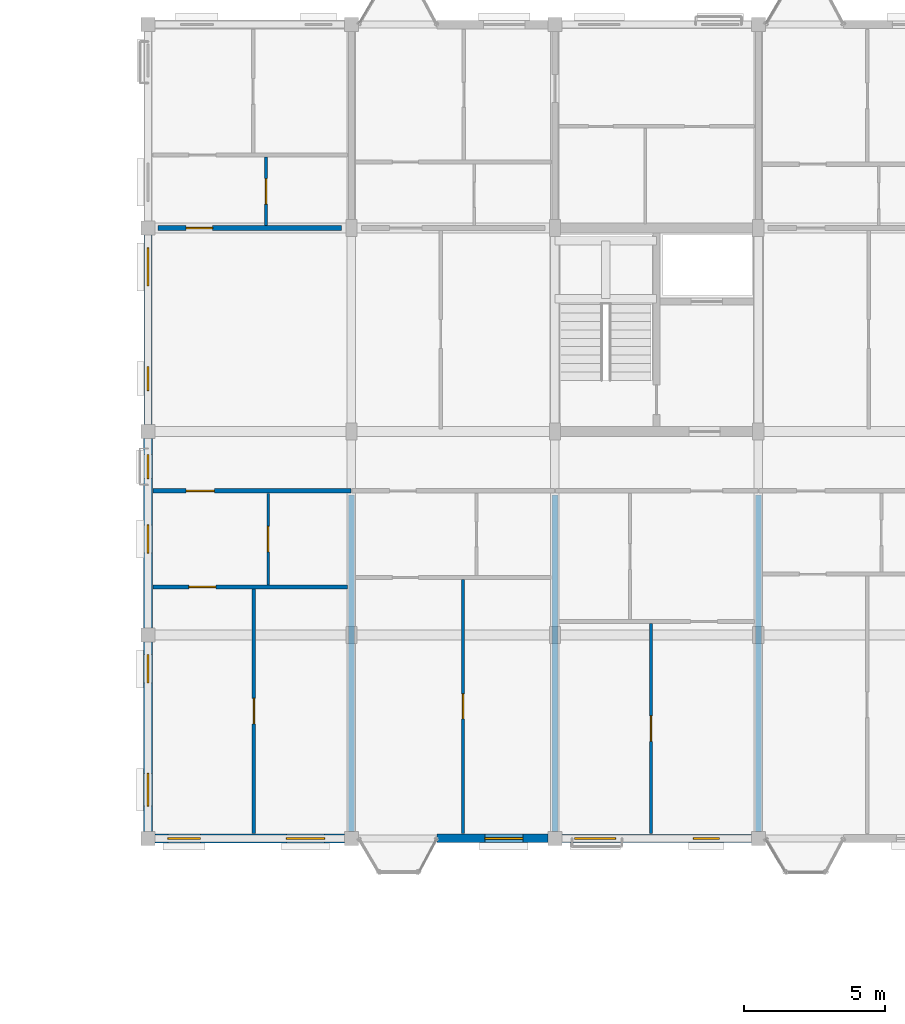
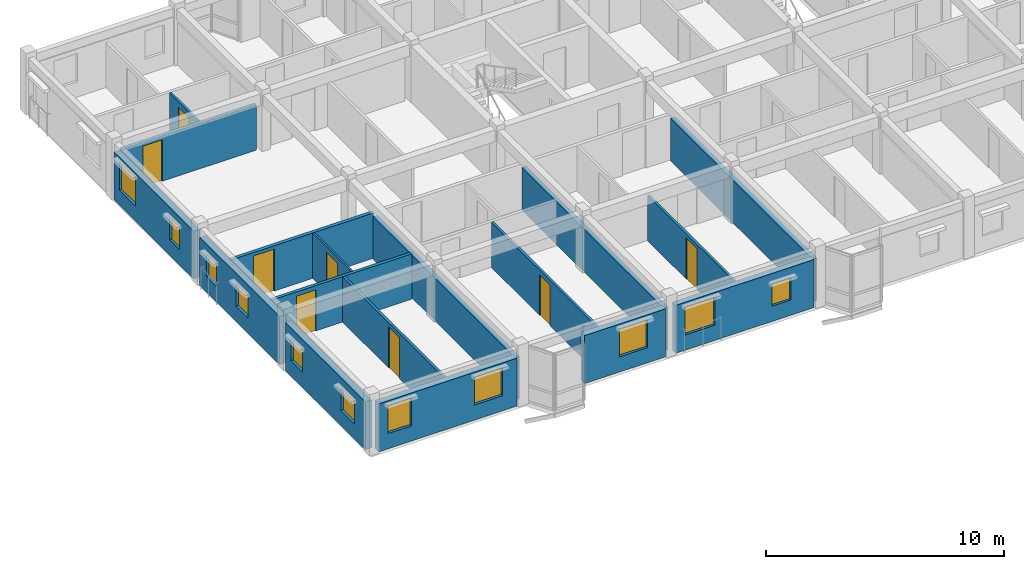
# One storey, part 52 of 64: 17 walls, 11 windows, 8 doors, 19 openings.
"""IFC4 building model written with IfcOpenShell, lengths in metres."""

import ifcopenshell
import ifcopenshell.guid

model = None  # the IFC model being written
_history = None  # IfcOwnerHistory: only IFC2X3 demands one
_inside = {}  # id of a spatial element -> (the spatial element, [elements in it])
_under = {}  # id of a project, library or spatial element -> (it, [spatial elements below it])
_declared = {}  # id of a project -> (the project, [libraries it declares])
_typed = {}  # id of a type object -> (the type object, [elements of that type])
_made_of = {}  # id of a material, layer set ... -> (it, [elements and type objects made of it])


def new_model(schema):
    """Start an empty IFC model of exactly this schema.

    Asked for "IFC4X3", IfcOpenShell would pick the latest addendum, in which some entities
    have other attributes; the version numbers below select the first issue.
    IFC2X3 requires an IfcOwnerHistory on every rooted entity: one is made here for all.
    """
    global model, _history
    if schema == "IFC4X3":
        model = ifcopenshell.file(schema_version=(4, 3, 0, 0))
    else:
        model = ifcopenshell.file(schema=schema)
    _inside.clear()
    _under.clear()
    _declared.clear()
    _typed.clear()
    _made_of.clear()
    _history = None
    if model.schema == "IFC2X3":
        org = make("IfcOrganization", Name="unknown")
        user = make(
            "IfcPersonAndOrganization",
            ThePerson=make("IfcPerson", FamilyName="unknown"),
            TheOrganization=org,
        )
        app = make(
            "IfcApplication",
            ApplicationDeveloper=org,
            Version="unknown",
            ApplicationFullName="unknown",
            ApplicationIdentifier="unknown",
        )
        _history = make(
            "IfcOwnerHistory",
            OwningUser=user,
            OwningApplication=app,
            ChangeAction="ADDED",
            CreationDate=0,
        )
    return model


def make(cls, **values):
    """One entity of the class cls with the attributes given. An attribute that is None is left unset."""
    return model.create_entity(
        cls, **{name: value for name, value in values.items() if value is not None}
    )


def rooted(cls, **values):
    """An entity with a GlobalId (a new one), such as an element, a storey or a relation."""
    return make(cls, GlobalId=ifcopenshell.guid.new(), OwnerHistory=_history, **values)


def si_unit(unit_type, name, prefix=None):
    """IfcSIUnit, for example si_unit("LENGTHUNIT", "METRE", prefix="MILLI")."""
    return make("IfcSIUnit", UnitType=unit_type, Prefix=prefix, Name=name)


def assignment(units):
    """IfcUnitAssignment: the units of a project."""
    return None if units is None else make("IfcUnitAssignment", Units=units)


def point(xyz):
    """IfcCartesianPoint."""
    return None if xyz is None else make("IfcCartesianPoint", Coordinates=xyz)


def direction(xyz):
    """IfcDirection."""
    return None if xyz is None else make("IfcDirection", DirectionRatios=xyz)


def frame(location, z_axis=None, x_axis=None):
    """IfcAxis2Placement3D, a coordinate frame: its origin and axes. An axis left out is left unset."""
    return make(
        "IfcAxis2Placement3D",
        Location=point(location),
        Axis=direction(z_axis),
        RefDirection=direction(x_axis),
    )


def frame_2d(location, x_axis=None):
    """IfcAxis2Placement2D, a coordinate frame in the plane: its origin and x axis."""
    return make(
        "IfcAxis2Placement2D", Location=point(location), RefDirection=direction(x_axis)
    )


def origin():
    """The frame at (0, 0, 0) with its axes left unset."""
    return frame((0.0, 0.0, 0.0))


def place(relative_to, where):
    """IfcLocalPlacement: puts the frame where relative to a parent placement (None: the world)."""
    return make(
        "IfcLocalPlacement", PlacementRelTo=relative_to, RelativePlacement=where
    )


def context(
    kind, dimensions, precision=None, world=None, true_north=None, identifier=None
):
    """IfcGeometricRepresentationContext, for example the 3D "Model" context."""
    return make(
        "IfcGeometricRepresentationContext",
        ContextIdentifier=identifier,
        ContextType=kind,
        CoordinateSpaceDimension=dimensions,
        Precision=precision,
        WorldCoordinateSystem=world,
        TrueNorth=true_north,
    )


def subcontext(parent, identifier, kind, view, scale=None):
    """IfcGeometricRepresentationSubContext, for example "Body" below "Model"."""
    return make(
        "IfcGeometricRepresentationSubContext",
        ContextIdentifier=identifier,
        ContextType=kind,
        ParentContext=parent,
        TargetScale=scale,
        TargetView=view,
    )


def project(units=None, contexts=None):
    """IfcProject with its units and contexts."""
    return rooted(
        "IfcProject",
        Name="project",
        RepresentationContexts=contexts,
        UnitsInContext=assignment(units),
    )


def spatial(cls, under=None, at=None, **own):
    """A site, building, storey or space (cls), placed at a placement, below another one or the project."""
    s = rooted(cls, ObjectPlacement=at, **own)
    if under is not None:
        _under.setdefault(under.id(), (under, []))[1].append(s)
    return s


def profile(cls, at=None, kind="AREA", **sizes):
    """A parametric profile (cls). Its sizes go by their IFC names, for example OverallWidth=200.0."""
    return make(cls, ProfileType=kind, Position=at, **sizes)


def rectangle(**sizes):
    """IfcRectangleProfileDef."""
    return profile("IfcRectangleProfileDef", **sizes)


def extrude(swept, where, along, depth):
    """IfcExtrudedAreaSolid: the profile swept, set in the frame where, extruded along a direction by depth."""
    return make(
        "IfcExtrudedAreaSolid",
        SweptArea=swept,
        Position=where,
        ExtrudedDirection=direction(along),
        Depth=depth,
    )


def shape(context_of_items, identifier, shape_type, items):
    """IfcShapeRepresentation: the items that make up one representation, for example the "Body"."""
    return make(
        "IfcShapeRepresentation",
        ContextOfItems=context_of_items,
        RepresentationIdentifier=identifier,
        RepresentationType=shape_type,
        Items=items,
    )


def material(Name=None, Category=None):
    """IfcMaterial."""
    return make("IfcMaterial", Name=Name, Category=Category)


def layer(
    of_material, thickness, ventilated=None, Name=None, Category=None, Priority=None
):
    """IfcMaterialLayer: one layer of a wall or slab, of a material (None: an air gap)."""
    return make(
        "IfcMaterialLayer",
        Material=of_material,
        LayerThickness=thickness,
        IsVentilated=ventilated,
        Name=Name,
        Category=Category,
        Priority=Priority,
    )


def layer_set(layers, Name=None):
    """IfcMaterialLayerSet."""
    return make("IfcMaterialLayerSet", MaterialLayers=layers, LayerSetName=Name)


def made_of(thing, what):
    """Note that an element or type object is made of a material, layer set ...; save() writes the relation."""
    if what is not None:
        _made_of.setdefault(what.id(), (what, []))[1].append(thing)
    return thing


def type_object(cls, material=None, **own):
    """A type object (cls), such as IfcWallType, which elements share."""
    return made_of(rooted(cls, **own), material)


def element(
    cls,
    number,
    at=None,
    inside=None,
    cuts=None,
    type_object=None,
    material=None,
    context=None,
    identifier="Body",
    shape_type=None,
    held_by="IfcProductDefinitionShape",
    body=None,
    shapes=None,
    **own,
):
    """One element of the class cls, such as IfcWall. Its Tag is "e" and its number.

    at: its placement. inside: the storey or other place that contains it. cuts: it is an
    opening in that element (IfcRelVoidsElement). A single representation is given by context,
    identifier, shape_type and body (its items); several are given by shapes. held_by: the class
    of the entity that holds the representations. save() writes the other relations.
    """
    e = rooted(cls, Tag="e%d" % number, ObjectPlacement=at, **own)
    if body is not None:
        shapes = [shape(context, identifier, shape_type, body)]
    if shapes is not None:
        e.Representation = make(held_by, Representations=shapes)
    if inside is not None:
        _inside.setdefault(inside.id(), (inside, []))[1].append(e)
    if cuts is not None:
        rooted(
            "IfcRelVoidsElement", RelatingBuildingElement=cuts, RelatedOpeningElement=e
        )
    if type_object is not None:
        _typed.setdefault(type_object.id(), (type_object, []))[1].append(e)
    return made_of(e, material)


def fill(opening, filler):
    """IfcRelFillsElement: the door or window that sits in an opening."""
    return rooted(
        "IfcRelFillsElement",
        RelatingOpeningElement=opening,
        RelatedBuildingElement=filler,
    )


def aggregate(whole, parts):
    """IfcRelAggregates: a whole, such as a stair, and the parts it consists of."""
    return rooted("IfcRelAggregates", RelatingObject=whole, RelatedObjects=parts)


def save(model, path):
    """Write the relations noted so far, then the file.

    IfcRelAggregates (storeys below a building ...), IfcRelContainedInSpatialStructure (elements
    in a storey), IfcRelDefinesByType, IfcRelAssociatesMaterial and IfcRelDeclares: one each for
    every whole, place, type object, material and project.
    """
    for whole, parts in _under.values():
        aggregate(whole, parts)
    for where, things in _inside.values():
        rooted(
            "IfcRelContainedInSpatialStructure",
            RelatedElements=things,
            RelatingStructure=where,
        )
    for kind, things in _typed.values():
        rooted("IfcRelDefinesByType", RelatedObjects=things, RelatingType=kind)
    for what, things in _made_of.values():
        rooted("IfcRelAssociatesMaterial", RelatedObjects=things, RelatingMaterial=what)
    for by, libraries in _declared.values():
        rooted("IfcRelDeclares", RelatingContext=by, RelatedDefinitions=libraries)
    model.write(path)


model = new_model("IFC4")

# Units and contexts
model_context = context("Model", 3, precision=1e-05, world=origin(), true_north=direction((0.0, 1.0)))
body_context = subcontext(model_context, "Body", "Model", "MODEL_VIEW")
ifc_project = project(units=[si_unit("LENGTHUNIT", "METRE"), si_unit("AREAUNIT", "SQUARE_METRE"), si_unit("VOLUMEUNIT", "CUBIC_METRE"), si_unit("PLANEANGLEUNIT", "RADIAN"), si_unit("MASSUNIT", "GRAM", prefix="KILO"), si_unit("THERMODYNAMICTEMPERATUREUNIT", "KELVIN"), si_unit("POWERUNIT", "WATT")], contexts=[model_context])

# Site, building, storey
site_placement = place(None, origin())
site = spatial("IfcSite", under=ifc_project, at=site_placement, CompositionType="ELEMENT")
building_placement = place(site_placement, origin())
building = spatial("IfcBuilding", under=site, at=building_placement, Name="Tavuni Mirador Residences", CompositionType="ELEMENT")
storey_placement = place(building_placement, frame((0.0, 0.0, 26.550048828125)))
storey = spatial("IfcBuildingStorey", under=building, at=storey_placement, Name="L08", CompositionType="ELEMENT", Elevation=26.550048828125)

# Wall, opening, door
ifc_material_1 = material(Name="Precast concrete C40/50", Category="concrete")
ifc_layer_1 = layer(ifc_material_1, 0.1650390625, Name="Precast concrete C40/50", Category="concrete")
ifc_layer_set_1 = layer_set([ifc_layer_1], Name="Precast concrete C40/50")
wall_type_1 = type_object("IfcWallType", Name="WT-CORR165", PredefinedType="PARTITIONING", material=ifc_layer_set_1)
wall_1_placement = place(storey_placement, frame((10.97509765625, 156.300048828125, 0.0), z_axis=(0.0, 0.0, 1.0), x_axis=(1.0, 0.0, 0.0)))
wall_1 = element("IfcWall", 1, at=wall_1_placement, inside=storey, type_object=wall_type_1, Name="CORW-BLK-C-L08-0-00", PredefinedType="PARTITIONING", context=body_context, shape_type="SweptSolid", body=[
    extrude(rectangle(XDim=7.0048828125, YDim=0.1650390625, at=frame_2d((3.50244140625, 0.0))), origin(), (0.0, 0.0, 1.0), 2.320068359375),
])
opening_1_placement = place(wall_1_placement, frame((1.175048828125, 0.0, 0.0)))
opening_1 = element("IfcOpeningElement", 2, at=opening_1_placement, cuts=wall_1, Name="Opening D-03", PredefinedType="OPENING", context=body_context, shape_type="SweptSolid", body=[
    extrude(rectangle(XDim=1.0, YDim=2.14990234375, at=frame_2d((0.5, 1.074951171875))), frame((0.0, 0.092529296875, 0.0), z_axis=(0.0, -1.0, 0.0), x_axis=(1.0, 0.0, 0.0)), (0.0, 0.0, 1.0), 0.18505859375),
])
ifc_material_2 = material(Name="Solid core iroko timber", Category="wood")
door_type_1 = type_object("IfcDoorType", Name="DT-FD60-1000", OperationType="NOTDEFINED", PredefinedType="DOOR", material=ifc_material_2)
door_1_placement = place(opening_1_placement, origin())
door_1 = element("IfcDoor", 3, at=door_1_placement, inside=storey, type_object=door_type_1, Name="DR-2739", OperationType="SINGLE_SWING_RIGHT", OverallHeight=2.14990234375, OverallWidth=1.0, PredefinedType="DOOR", context=body_context, shape_type="SweptSolid", body=[
    extrude(rectangle(XDim=1.0, YDim=2.14990234375, at=frame_2d((0.5, 1.074951171875))), frame((0.0, 0.02490234375, 0.0), z_axis=(0.0, -1.0, 0.0), x_axis=(1.0, 0.0, 0.0)), (0.0, 0.0, 1.0), 0.050048828125),
])
fill(opening_1, door_1)

wall_2_placement = place(storey_placement, frame((11.14990234375, 165.60009765625, 0.0), z_axis=(0.0, 0.0, 1.0), x_axis=(1.0, 0.0, 0.0)))
wall_2 = element("IfcWall", 4, at=wall_2_placement, inside=storey, type_object=wall_type_1, Name="CORW-BLK-C-L08-1-00", PredefinedType="PARTITIONING", context=body_context, shape_type="SweptSolid", body=[
    extrude(rectangle(XDim=6.5, YDim=0.1650390625, at=frame_2d((3.25, 0.0))), origin(), (0.0, 0.0, 1.0), 2.320068359375),
])
opening_2_placement = place(wall_2_placement, frame((1.0, 0.0, 0.0)))
opening_2 = element("IfcOpeningElement", 5, at=opening_2_placement, cuts=wall_2, Name="Opening D-19", PredefinedType="OPENING", context=body_context, shape_type="SweptSolid", body=[
    extrude(rectangle(XDim=0.93994140625, YDim=2.1201171875, at=frame_2d((0.469970703125, 1.06005859375))), frame((0.0, 0.092529296875, 0.0), z_axis=(0.0, -1.0, 0.0), x_axis=(1.0, 0.0, 0.0)), (0.0, 0.0, 1.0), 0.18505859375),
])
door_type_2 = type_object("IfcDoorType", Name="DT-FD60-940", OperationType="NOTDEFINED", PredefinedType="DOOR", material=ifc_material_2)
door_2_placement = place(opening_2_placement, origin())
door_2 = element("IfcDoor", 6, at=door_2_placement, inside=storey, type_object=door_type_2, Name="DR-2746", OperationType="SINGLE_SWING_LEFT", OverallHeight=2.1201171875, OverallWidth=0.93994140625, PredefinedType="DOOR", context=body_context, shape_type="SweptSolid", body=[
    extrude(rectangle(XDim=0.93994140625, YDim=2.1201171875, at=frame_2d((0.469970703125, 1.06005859375))), frame((0.0, 0.02490234375, 0.0), z_axis=(0.0, -1.0, 0.0), x_axis=(1.0, 0.0, 0.0)), (0.0, 0.0, 1.0), 0.050048828125),
])
fill(opening_2, door_2)

# Wall, openings, windows
ifc_material_3 = material(Name="Sgraffito lime-rendered precast concrete C40/50", Category="concrete")
ifc_layer_2 = layer(ifc_material_3, 0.2900390625, Name="Sgraffito lime-rendered precast concrete C40/50", Category="concrete")
ifc_layer_set_2 = layer_set([ifc_layer_2], Name="Sgraffito lime-rendered precast concrete C40/50")
wall_type_2 = type_object("IfcWallType", Name="WT-EXT-PC290", PredefinedType="SOLIDWALL", material=ifc_layer_set_2)
wall_3_placement = place(storey_placement, frame((25.449951171875, 144.0, 0.0), z_axis=(0.0, 0.0, 1.0), x_axis=(1.0, 0.0, 0.0)))
wall_3 = element("IfcWall", 7, at=wall_3_placement, inside=storey, type_object=wall_type_2, Name="EW-BLK-C-L08-S02", PredefinedType="SOLIDWALL", context=body_context, shape_type="SweptSolid", body=[
    extrude(rectangle(XDim=6.699951171875, YDim=0.2900390625, at=frame_2d((3.35009765625, 0.0))), origin(), (0.0, 0.0, 1.0), 2.454833984375),
])
opening_3_placement = place(wall_3_placement, frame((0.449951171875, 0.0, 0.780029296875)))
opening_3 = element("IfcOpeningElement", 8, at=opening_3_placement, cuts=wall_3, Name="Opening WN-30", PredefinedType="OPENING", context=body_context, shape_type="SweptSolid", body=[
    extrude(rectangle(XDim=1.449951171875, YDim=1.43994140625, at=frame_2d((0.72509765625, 0.719970703125))), frame((0.0, 0.155029296875, 0.0), z_axis=(0.0, -1.0, 0.0), x_axis=(1.0, 0.0, 0.0)), (0.0, 0.0, 1.0), 0.31005859375),
])
opening_4_placement = place(wall_3_placement, frame((4.64990234375, 0.0, 0.780029296875)))
opening_4 = element("IfcOpeningElement", 9, at=opening_4_placement, cuts=wall_3, Name="Opening WN-02", PredefinedType="OPENING", context=body_context, shape_type="SweptSolid", body=[
    extrude(rectangle(XDim=0.919921875, YDim=1.14990234375, at=frame_2d((0.4599609375, 0.574951171875))), frame((0.0, 0.155029296875, 0.0), z_axis=(0.0, -1.0, 0.0), x_axis=(1.0, 0.0, 0.0)), (0.0, 0.0, 1.0), 0.31005859375),
])
ifc_material_4 = material(Name="Laminated solar-control glass", Category="glass")
window_type_1 = type_object("IfcWindowType", Name="WNT-02", PartitioningType="SINGLE_PANEL", PredefinedType="WINDOW", material=ifc_material_4)
window_1_placement = place(opening_4_placement, origin())
window_1 = element("IfcWindow", 10, at=window_1_placement, inside=storey, type_object=window_type_1, Name="WIN-1192", OverallHeight=1.14990234375, OverallWidth=0.919921875, PartitioningType="SINGLE_PANEL", PredefinedType="WINDOW", context=body_context, shape_type="SweptSolid", body=[
    extrude(rectangle(XDim=0.919921875, YDim=1.14990234375, at=frame_2d((0.4599609375, 0.574951171875))), frame((0.0, 0.030029296875, 0.0), z_axis=(0.0, -1.0, 0.0), x_axis=(1.0, 0.0, 0.0)), (0.0, 0.0, 1.0), 0.06005859375),
])
fill(opening_4, window_1)
window_type_2 = type_object("IfcWindowType", Name="WNT-30", PartitioningType="SINGLE_PANEL", PredefinedType="WINDOW", material=ifc_material_4)
window_2_placement = place(opening_3_placement, origin())
window_2 = element("IfcWindow", 11, at=window_2_placement, inside=storey, type_object=window_type_2, Name="WIN-1191", OverallHeight=1.43994140625, OverallWidth=1.449951171875, PartitioningType="SINGLE_PANEL", PredefinedType="WINDOW", context=body_context, shape_type="SweptSolid", body=[
    extrude(rectangle(XDim=1.449951171875, YDim=1.43994140625, at=frame_2d((0.72509765625, 0.719970703125))), frame((0.0, 0.030029296875, 0.0), z_axis=(0.0, -1.0, 0.0), x_axis=(1.0, 0.0, 0.0)), (0.0, 0.0, 1.0), 0.06005859375),
])
fill(opening_3, window_2)

wall_4_placement = place(storey_placement, frame((10.800048828125, 165.35009765625, 0.0), z_axis=(0.0, 0.0, 1.0), x_axis=(0.0, -1.0, 0.0)))
wall_4 = element("IfcWall", 12, at=wall_4_placement, inside=storey, type_object=wall_type_2, Name="EW-BLK-C-L08-W02", PredefinedType="SOLIDWALL", context=body_context, shape_type="SweptSolid", body=[
    extrude(rectangle(XDim=6.7001953125, YDim=0.2900390625, at=frame_2d((3.35009765625, 0.0))), origin(), (0.0, 0.0, 1.0), 2.454833984375),
])
opening_5_placement = place(wall_4_placement, frame((0.449951171875, 0.0, 0.780029296875)))
opening_5 = element("IfcOpeningElement", 13, at=opening_5_placement, cuts=wall_4, Name="Opening WN-29", PredefinedType="OPENING", context=body_context, shape_type="SweptSolid", body=[
    extrude(rectangle(XDim=1.35009765625, YDim=1.43994140625, at=frame_2d((0.675048828125, 0.719970703125))), frame((0.0, 0.155029296875, 0.0), z_axis=(0.0, -1.0, 0.0), x_axis=(1.0, 0.0, 0.0)), (0.0, 0.0, 1.0), 0.31005859375),
])
opening_6_placement = place(wall_4_placement, frame((4.64990234375, 0.0, 0.780029296875)))
opening_6 = element("IfcOpeningElement", 14, at=opening_6_placement, cuts=wall_4, Name="Opening WN-01", PredefinedType="OPENING", context=body_context, shape_type="SweptSolid", body=[
    extrude(rectangle(XDim=0.85009765625, YDim=1.14990234375, at=frame_2d((0.425048828125, 0.574951171875))), frame((0.0, 0.155029296875, 0.0), z_axis=(0.0, -1.0, 0.0), x_axis=(1.0, 0.0, 0.0)), (0.0, 0.0, 1.0), 0.31005859375),
])
window_type_3 = type_object("IfcWindowType", Name="WNT-01", PartitioningType="SINGLE_PANEL", PredefinedType="WINDOW", material=ifc_material_4)
window_3_placement = place(opening_6_placement, origin())
window_3 = element("IfcWindow", 15, at=window_3_placement, inside=storey, type_object=window_type_3, Name="WIN-1221", OverallHeight=1.14990234375, OverallWidth=0.85009765625, PartitioningType="SINGLE_PANEL", PredefinedType="WINDOW", context=body_context, shape_type="SweptSolid", body=[
    extrude(rectangle(XDim=0.85009765625, YDim=1.14990234375, at=frame_2d((0.425048828125, 0.574951171875))), frame((0.0, 0.030029296875, 0.0), z_axis=(0.0, -1.0, 0.0), x_axis=(1.0, 0.0, 0.0)), (0.0, 0.0, 1.0), 0.06005859375),
])
fill(opening_6, window_3)
window_type_4 = type_object("IfcWindowType", Name="WNT-29", PartitioningType="SINGLE_PANEL", PredefinedType="WINDOW", material=ifc_material_4)
window_4_placement = place(opening_5_placement, origin())
window_4 = element("IfcWindow", 16, at=window_4_placement, inside=storey, type_object=window_type_4, Name="WIN-1220", OverallHeight=1.43994140625, OverallWidth=1.35009765625, PartitioningType="SINGLE_PANEL", PredefinedType="WINDOW", context=body_context, shape_type="SweptSolid", body=[
    extrude(rectangle(XDim=1.35009765625, YDim=1.43994140625, at=frame_2d((0.675048828125, 0.719970703125))), frame((0.0, 0.030029296875, 0.0), z_axis=(0.0, -1.0, 0.0), x_axis=(1.0, 0.0, 0.0)), (0.0, 0.0, 1.0), 0.06005859375),
])
fill(opening_5, window_4)

# Wall, opening, window
ifc_layer_3 = layer(ifc_material_3, 0.304931640625, Name="Sgraffito lime-rendered precast concrete C40/50", Category="concrete")
ifc_layer_set_3 = layer_set([ifc_layer_3], Name="Sgraffito lime-rendered precast concrete C40/50")
wall_type_3 = type_object("IfcWallType", Name="WT-EXT-PC305", PredefinedType="SOLIDWALL", material=ifc_layer_set_3)
wall_5_placement = place(storey_placement, frame((21.02001953125, 144.0, 0.0), z_axis=(0.0, 0.0, 1.0), x_axis=(1.0, 0.0, 0.0)))
wall_5 = element("IfcWall", 17, at=wall_5_placement, inside=storey, type_object=wall_type_3, Name="EW-BLK-C-L08-S01", PredefinedType="SOLIDWALL", context=body_context, shape_type="SweptSolid", body=[
    extrude(rectangle(XDim=3.929931640625, YDim=0.304931640625, at=frame_2d((1.96484375, 0.0))), origin(), (0.0, 0.0, 1.0), 2.454833984375),
])
opening_7_placement = place(wall_5_placement, frame((1.699951171875, 0.0, 0.780029296875)))
opening_7 = element("IfcOpeningElement", 18, at=opening_7_placement, cuts=wall_5, Name="Opening WN-29", PredefinedType="OPENING", context=body_context, shape_type="SweptSolid", body=[
    extrude(rectangle(XDim=1.35009765625, YDim=1.43994140625, at=frame_2d((0.675048828125, 0.719970703125))), frame((0.0, 0.16259765625, 0.0), z_axis=(0.0, -1.0, 0.0), x_axis=(1.0, 0.0, 0.0)), (0.0, 0.0, 1.0), 0.324951171875),
])
window_5_placement = place(opening_7_placement, origin())
window_5 = element("IfcWindow", 19, at=window_5_placement, inside=storey, type_object=window_type_4, Name="WIN-1190", OverallHeight=1.43994140625, OverallWidth=1.35009765625, PartitioningType="SINGLE_PANEL", PredefinedType="WINDOW", context=body_context, shape_type="SweptSolid", body=[
    extrude(rectangle(XDim=1.35009765625, YDim=1.43994140625, at=frame_2d((0.675048828125, 0.719970703125))), frame((0.0, 0.030029296875, 0.0), z_axis=(0.0, -1.0, 0.0), x_axis=(1.0, 0.0, 0.0)), (0.0, 0.0, 1.0), 0.06005859375),
])
fill(opening_7, window_5)

# Wall, openings, windows
wall_6_placement = place(storey_placement, frame((10.800048828125, 158.14990234375, 0.0), z_axis=(0.0, 0.0, 1.0), x_axis=(0.0, -1.0, 0.0)))
wall_6 = element("IfcWall", 20, at=wall_6_placement, inside=storey, type_object=wall_type_3, Name="EW-BLK-C-L08-W01", PredefinedType="SOLIDWALL", context=body_context, shape_type="SweptSolid", body=[
    extrude(rectangle(XDim=6.699951171875, YDim=0.304931640625, at=frame_2d((3.35009765625, 0.0))), origin(), (0.0, 0.0, 1.0), 2.454833984375),
])
opening_8_placement = place(wall_6_placement, frame((0.570068359375, 0.0, 0.780029296875)))
opening_8 = element("IfcOpeningElement", 21, at=opening_8_placement, cuts=wall_6, Name="Opening WN-01", PredefinedType="OPENING", context=body_context, shape_type="SweptSolid", body=[
    extrude(rectangle(XDim=0.85009765625, YDim=1.14990234375, at=frame_2d((0.425048828125, 0.574951171875))), frame((0.0, 0.16259765625, 0.0), z_axis=(0.0, -1.0, 0.0), x_axis=(1.0, 0.0, 0.0)), (0.0, 0.0, 1.0), 0.324951171875),
])
opening_9_placement = place(wall_6_placement, frame((3.050048828125, 0.0, 0.780029296875)))
opening_9 = element("IfcOpeningElement", 22, at=opening_9_placement, cuts=wall_6, Name="Opening WN-03", PredefinedType="OPENING", context=body_context, shape_type="SweptSolid", body=[
    extrude(rectangle(XDim=1.0, YDim=1.14990234375, at=frame_2d((0.5, 0.574951171875))), frame((0.0, 0.16259765625, 0.0), z_axis=(0.0, -1.0, 0.0), x_axis=(1.0, 0.0, 0.0)), (0.0, 0.0, 1.0), 0.324951171875),
])
window_6_placement = place(opening_8_placement, origin())
window_6 = element("IfcWindow", 23, at=window_6_placement, inside=storey, type_object=window_type_3, Name="WIN-1222", OverallHeight=1.14990234375, OverallWidth=0.85009765625, PartitioningType="SINGLE_PANEL", PredefinedType="WINDOW", context=body_context, shape_type="SweptSolid", body=[
    extrude(rectangle(XDim=0.85009765625, YDim=1.14990234375, at=frame_2d((0.425048828125, 0.574951171875))), frame((0.0, 0.030029296875, 0.0), z_axis=(0.0, -1.0, 0.0), x_axis=(1.0, 0.0, 0.0)), (0.0, 0.0, 1.0), 0.06005859375),
])
fill(opening_8, window_6)
window_type_5 = type_object("IfcWindowType", Name="WNT-03", PartitioningType="SINGLE_PANEL", PredefinedType="WINDOW", material=ifc_material_4)
window_7_placement = place(opening_9_placement, origin())
window_7 = element("IfcWindow", 24, at=window_7_placement, inside=storey, type_object=window_type_5, Name="WIN-1223", OverallHeight=1.14990234375, OverallWidth=1.0, PartitioningType="SINGLE_PANEL", PredefinedType="WINDOW", context=body_context, shape_type="SweptSolid", body=[
    extrude(rectangle(XDim=1.0, YDim=1.14990234375, at=frame_2d((0.5, 0.574951171875))), frame((0.0, 0.030029296875, 0.0), z_axis=(0.0, -1.0, 0.0), x_axis=(1.0, 0.0, 0.0)), (0.0, 0.0, 1.0), 0.06005859375),
])
fill(opening_9, window_7)

ifc_layer_4 = layer(ifc_material_3, 0.31494140625, Name="Sgraffito lime-rendered precast concrete C40/50", Category="concrete")
ifc_layer_set_4 = layer_set([ifc_layer_4], Name="Sgraffito lime-rendered precast concrete C40/50")
wall_type_4 = type_object("IfcWallType", Name="WT-EXT-PC315", PredefinedType="SOLIDWALL", material=ifc_layer_set_4)
wall_7_placement = place(storey_placement, frame((11.050048828125, 144.0, 0.0), z_axis=(0.0, 0.0, 1.0), x_axis=(1.0, 0.0, 0.0)))
wall_7 = element("IfcWall", 25, at=wall_7_placement, inside=storey, type_object=wall_type_4, Name="EW-BLK-C-L08-S00", PredefinedType="SOLIDWALL", context=body_context, shape_type="SweptSolid", body=[
    extrude(rectangle(XDim=6.699951171875, YDim=0.31494140625, at=frame_2d((3.35009765625, 0.0))), origin(), (0.0, 0.0, 1.0), 2.454833984375),
])
opening_10_placement = place(wall_7_placement, frame((0.449951171875, 0.0, 0.780029296875)))
opening_10 = element("IfcOpeningElement", 26, at=opening_10_placement, cuts=wall_7, Name="Opening WN-27", PredefinedType="OPENING", context=body_context, shape_type="SweptSolid", body=[
    extrude(rectangle(XDim=1.14990234375, YDim=1.43994140625, at=frame_2d((0.574951171875, 0.719970703125))), frame((0.0, 0.16748046875, 0.0), z_axis=(0.0, -1.0, 0.0), x_axis=(1.0, 0.0, 0.0)), (0.0, 0.0, 1.0), 0.3349609375),
])
opening_11_placement = place(wall_7_placement, frame((4.64990234375, 0.0, 0.780029296875)))
opening_11 = element("IfcOpeningElement", 27, at=opening_11_placement, cuts=wall_7, Name="Opening WN-29", PredefinedType="OPENING", context=body_context, shape_type="SweptSolid", body=[
    extrude(rectangle(XDim=1.35009765625, YDim=1.43994140625, at=frame_2d((0.675048828125, 0.719970703125))), frame((0.0, 0.16748046875, 0.0), z_axis=(0.0, -1.0, 0.0), x_axis=(1.0, 0.0, 0.0)), (0.0, 0.0, 1.0), 0.3349609375),
])
window_type_6 = type_object("IfcWindowType", Name="WNT-27", PartitioningType="SINGLE_PANEL", PredefinedType="WINDOW", material=ifc_material_4)
window_8_placement = place(opening_10_placement, origin())
window_8 = element("IfcWindow", 28, at=window_8_placement, inside=storey, type_object=window_type_6, Name="WIN-1188", OverallHeight=1.43994140625, OverallWidth=1.14990234375, PartitioningType="SINGLE_PANEL", PredefinedType="WINDOW", context=body_context, shape_type="SweptSolid", body=[
    extrude(rectangle(XDim=1.14990234375, YDim=1.43994140625, at=frame_2d((0.574951171875, 0.719970703125))), frame((0.0, 0.030029296875, 0.0), z_axis=(0.0, -1.0, 0.0), x_axis=(1.0, 0.0, 0.0)), (0.0, 0.0, 1.0), 0.06005859375),
])
fill(opening_10, window_8)
window_9_placement = place(opening_11_placement, origin())
window_9 = element("IfcWindow", 29, at=window_9_placement, inside=storey, type_object=window_type_4, Name="WIN-1189", OverallHeight=1.43994140625, OverallWidth=1.35009765625, PartitioningType="SINGLE_PANEL", PredefinedType="WINDOW", context=body_context, shape_type="SweptSolid", body=[
    extrude(rectangle(XDim=1.35009765625, YDim=1.43994140625, at=frame_2d((0.675048828125, 0.719970703125))), frame((0.0, 0.030029296875, 0.0), z_axis=(0.0, -1.0, 0.0), x_axis=(1.0, 0.0, 0.0)), (0.0, 0.0, 1.0), 0.06005859375),
])
fill(opening_11, window_9)

wall_8_placement = place(storey_placement, frame((10.800048828125, 150.949951171875, 0.0), z_axis=(0.0, 0.0, 1.0), x_axis=(0.0, -1.0, 0.0)))
wall_8 = element("IfcWall", 30, at=wall_8_placement, inside=storey, type_object=wall_type_4, Name="EW-BLK-C-L08-W00", PredefinedType="SOLIDWALL", context=body_context, shape_type="SweptSolid", body=[
    extrude(rectangle(XDim=6.699951171875, YDim=0.31494140625, at=frame_2d((3.35009765625, 0.0))), origin(), (0.0, 0.0, 1.0), 2.454833984375),
])
opening_12_placement = place(wall_8_placement, frame((0.449951171875, 0.0, 0.780029296875)))
opening_12 = element("IfcOpeningElement", 31, at=opening_12_placement, cuts=wall_8, Name="Opening WN-03", PredefinedType="OPENING", context=body_context, shape_type="SweptSolid", body=[
    extrude(rectangle(XDim=1.0, YDim=1.14990234375, at=frame_2d((0.5, 0.574951171875))), frame((0.0, 0.16748046875, 0.0), z_axis=(0.0, -1.0, 0.0), x_axis=(1.0, 0.0, 0.0)), (0.0, 0.0, 1.0), 0.3349609375),
])
opening_13_placement = place(wall_8_placement, frame((4.64990234375, 0.0, 0.780029296875)))
opening_13 = element("IfcOpeningElement", 32, at=opening_13_placement, cuts=wall_8, Name="Opening WN-05", PredefinedType="OPENING", context=body_context, shape_type="SweptSolid", body=[
    extrude(rectangle(XDim=1.159912109375, YDim=1.14990234375, at=frame_2d((0.580078125, 0.574951171875))), frame((0.0, 0.16748046875, 0.0), z_axis=(0.0, -1.0, 0.0), x_axis=(1.0, 0.0, 0.0)), (0.0, 0.0, 1.0), 0.3349609375),
])
window_10_placement = place(opening_12_placement, origin())
window_10 = element("IfcWindow", 33, at=window_10_placement, inside=storey, type_object=window_type_5, Name="WIN-1224", OverallHeight=1.14990234375, OverallWidth=1.0, PartitioningType="SINGLE_PANEL", PredefinedType="WINDOW", context=body_context, shape_type="SweptSolid", body=[
    extrude(rectangle(XDim=1.0, YDim=1.14990234375, at=frame_2d((0.5, 0.574951171875))), frame((0.0, 0.030029296875, 0.0), z_axis=(0.0, -1.0, 0.0), x_axis=(1.0, 0.0, 0.0)), (0.0, 0.0, 1.0), 0.06005859375),
])
fill(opening_12, window_10)
window_type_7 = type_object("IfcWindowType", Name="WNT-05", PartitioningType="SINGLE_PANEL", PredefinedType="WINDOW", material=ifc_material_4)
window_11_placement = place(opening_13_placement, origin())
window_11 = element("IfcWindow", 34, at=window_11_placement, inside=storey, type_object=window_type_7, Name="WIN-1225", OverallHeight=1.14990234375, OverallWidth=1.159912109375, PartitioningType="SINGLE_PANEL", PredefinedType="WINDOW", context=body_context, shape_type="SweptSolid", body=[
    extrude(rectangle(XDim=1.159912109375, YDim=1.14990234375, at=frame_2d((0.580078125, 0.574951171875))), frame((0.0, 0.030029296875, 0.0), z_axis=(0.0, -1.0, 0.0), x_axis=(1.0, 0.0, 0.0)), (0.0, 0.0, 1.0), 0.06005859375),
])
fill(opening_13, window_11)

# Wall, opening, door
ifc_material_5 = material(Name="Acoustic gypsum and concrete block partition", Category="concrete")
ifc_layer_5 = layer(ifc_material_5, 0.094970703125, Name="Acoustic gypsum and concrete block partition", Category="concrete")
ifc_layer_set_5 = layer_set([ifc_layer_5], Name="Acoustic gypsum and concrete block partition")
wall_type_5 = type_object("IfcWallType", Name="WT-PART095", PredefinedType="PARTITIONING", material=ifc_layer_set_5)
wall_9_placement = place(storey_placement, frame((15.050048828125, 152.969970703125, 0.0), z_axis=(0.0, 0.0, 1.0), x_axis=(0.0, 1.0, 0.0)))
wall_9 = element("IfcWall", 35, at=wall_9_placement, inside=storey, type_object=wall_type_5, Name="PW-BLK-C-L08-S00-IN1", PredefinedType="PARTITIONING", context=body_context, shape_type="SweptSolid", body=[
    extrude(rectangle(XDim=3.239990234375, YDim=0.094970703125, at=frame_2d((1.6201171875, 0.0))), origin(), (0.0, 0.0, 1.0), 2.320068359375),
])
opening_14_placement = place(wall_9_placement, frame((1.169921875, 0.0, 0.0)))
opening_14 = element("IfcOpeningElement", 36, at=opening_14_placement, cuts=wall_9, Name="Opening D-09", PredefinedType="OPENING", context=body_context, shape_type="SweptSolid", body=[
    extrude(rectangle(XDim=0.89990234375, YDim=2.050048828125, at=frame_2d((0.449951171875, 1.02490234375))), frame((0.0, 0.0576171875, 0.0), z_axis=(0.0, -1.0, 0.0), x_axis=(1.0, 0.0, 0.0)), (0.0, 0.0, 1.0), 0.114990234375),
])
door_type_3 = type_object("IfcDoorType", Name="DT-WC900", OperationType="NOTDEFINED", PredefinedType="DOOR", material=ifc_material_2)
door_3_placement = place(opening_14_placement, origin())
door_3 = element("IfcDoor", 37, at=door_3_placement, inside=storey, type_object=door_type_3, Name="DR-4073", OperationType="SINGLE_SWING_LEFT", OverallHeight=2.050048828125, OverallWidth=0.89990234375, PredefinedType="DOOR", context=body_context, shape_type="SweptSolid", body=[
    extrude(rectangle(XDim=0.89990234375, YDim=2.050048828125, at=frame_2d((0.449951171875, 1.02490234375))), frame((0.0, 0.02490234375, 0.0), z_axis=(0.0, -1.0, 0.0), x_axis=(1.0, 0.0, 0.0)), (0.0, 0.0, 1.0), 0.050048828125),
])
fill(opening_14, door_3)

ifc_layer_6 = layer(ifc_material_5, 0.10498046875, Name="Acoustic gypsum and concrete block partition", Category="concrete")
ifc_layer_set_6 = layer_set([ifc_layer_6], Name="Acoustic gypsum and concrete block partition")
wall_type_6 = type_object("IfcWallType", Name="WT-PART105", PredefinedType="PARTITIONING", material=ifc_layer_set_6)
wall_10_placement = place(storey_placement, frame((14.97998046875, 165.68994140625, 0.0), z_axis=(0.0, 0.0, 1.0), x_axis=(0.0, 1.0, 0.0)))
wall_10 = element("IfcWall", 38, at=wall_10_placement, inside=storey, type_object=wall_type_6, Name="PW-BLK-C-L08-N00-IN1", PredefinedType="PARTITIONING", context=body_context, shape_type="SweptSolid", body=[
    extrude(rectangle(XDim=2.420166015625, YDim=0.10498046875, at=frame_2d((1.2099609375, 0.0))), origin(), (0.0, 0.0, 1.0), 2.320068359375),
])
opening_15_placement = place(wall_10_placement, frame((0.760009765625, 0.0, 0.0)))
opening_15 = element("IfcOpeningElement", 39, at=opening_15_placement, cuts=wall_10, Name="Opening D-09", PredefinedType="OPENING", context=body_context, shape_type="SweptSolid", body=[
    extrude(rectangle(XDim=0.89990234375, YDim=2.050048828125, at=frame_2d((0.449951171875, 1.02490234375))), frame((0.0, 0.0625, 0.0), z_axis=(0.0, -1.0, 0.0), x_axis=(1.0, 0.0, 0.0)), (0.0, 0.0, 1.0), 0.125),
])
door_4_placement = place(opening_15_placement, origin())
door_4 = element("IfcDoor", 40, at=door_4_placement, inside=storey, type_object=door_type_3, Name="DR-4076", OperationType="SINGLE_SWING_LEFT", OverallHeight=2.050048828125, OverallWidth=0.89990234375, PredefinedType="DOOR", context=body_context, shape_type="SweptSolid", body=[
    extrude(rectangle(XDim=0.89990234375, YDim=2.050048828125, at=frame_2d((0.449951171875, 1.02490234375))), frame((0.0, 0.02490234375, 0.0), z_axis=(0.0, -1.0, 0.0), x_axis=(1.0, 0.0, 0.0)), (0.0, 0.0, 1.0), 0.050048828125),
])
fill(opening_15, door_4)

ifc_layer_7 = layer(ifc_material_5, 0.114990234375, Name="Acoustic gypsum and concrete block partition", Category="concrete")
ifc_layer_set_7 = layer_set([ifc_layer_7], Name="Acoustic gypsum and concrete block partition")
wall_type_7 = type_object("IfcWallType", Name="WT-PART115", PredefinedType="PARTITIONING", material=ifc_layer_set_7)
wall_11_placement = place(storey_placement, frame((21.949951171875, 144.175048828125, 0.0), z_axis=(0.0, 0.0, 1.0), x_axis=(0.0, 1.0, 0.0)))
wall_11 = element("IfcWall", 41, at=wall_11_placement, inside=storey, type_object=wall_type_7, Name="PW-BLK-C-L08-S01-OUT", PredefinedType="PARTITIONING", context=body_context, shape_type="SweptSolid", body=[
    extrude(rectangle(XDim=8.994873046875, YDim=0.114990234375, at=frame_2d((4.49755859375, 0.0))), origin(), (0.0, 0.0, 1.0), 2.320068359375),
])
opening_16_placement = place(wall_11_placement, frame((4.0576171875, 0.0, 0.0)))
opening_16 = element("IfcOpeningElement", 42, at=opening_16_placement, cuts=wall_11, Name="Opening D-08", PredefinedType="OPENING", context=body_context, shape_type="SweptSolid", body=[
    extrude(rectangle(XDim=0.8798828125, YDim=2.080078125, at=frame_2d((0.43994140625, 1.0400390625))), frame((0.0, 0.0673828125, 0.0), z_axis=(0.0, -1.0, 0.0), x_axis=(1.0, 0.0, 0.0)), (0.0, 0.0, 1.0), 0.135009765625),
])
door_type_4 = type_object("IfcDoorType", Name="DT-BED880", OperationType="NOTDEFINED", PredefinedType="DOOR", material=ifc_material_2)
door_5_placement = place(opening_16_placement, origin())
door_5 = element("IfcDoor", 43, at=door_5_placement, inside=storey, type_object=door_type_4, Name="DR-4079", OperationType="SINGLE_SWING_LEFT", OverallHeight=2.080078125, OverallWidth=0.8798828125, PredefinedType="DOOR", context=body_context, shape_type="SweptSolid", body=[
    extrude(rectangle(XDim=0.8798828125, YDim=2.080078125, at=frame_2d((0.43994140625, 1.0400390625))), frame((0.0, 0.02490234375, 0.0), z_axis=(0.0, -1.0, 0.0), x_axis=(1.0, 0.0, 0.0)), (0.0, 0.0, 1.0), 0.050048828125),
])
fill(opening_16, door_5)

wall_12_placement = place(storey_placement, frame((28.60009765625, 144.175048828125, 0.0), z_axis=(0.0, 0.0, 1.0), x_axis=(0.0, 1.0, 0.0)))
wall_12 = element("IfcWall", 44, at=wall_12_placement, inside=storey, type_object=wall_type_7, Name="PW-BLK-C-L08-S02-OUT", PredefinedType="PARTITIONING", context=body_context, shape_type="SweptSolid", body=[
    extrude(rectangle(XDim=7.425048828125, YDim=0.114990234375, at=frame_2d((3.71240234375, 0.0))), origin(), (0.0, 0.0, 1.0), 2.320068359375),
])
opening_17_placement = place(wall_12_placement, frame((3.262451171875, 0.0, 0.0)))
opening_17 = element("IfcOpeningElement", 45, at=opening_17_placement, cuts=wall_12, Name="Opening D-07", PredefinedType="OPENING", context=body_context, shape_type="SweptSolid", body=[
    extrude(rectangle(XDim=0.89990234375, YDim=2.10009765625, at=frame_2d((0.449951171875, 1.050048828125))), frame((0.0, 0.0673828125, 0.0), z_axis=(0.0, -1.0, 0.0), x_axis=(1.0, 0.0, 0.0)), (0.0, 0.0, 1.0), 0.135009765625),
])
door_type_5 = type_object("IfcDoorType", Name="DT-BED900", OperationType="NOTDEFINED", PredefinedType="DOOR", material=ifc_material_2)
door_6_placement = place(opening_17_placement, origin())
door_6 = element("IfcDoor", 46, at=door_6_placement, inside=storey, type_object=door_type_5, Name="DR-4085", OperationType="SINGLE_SWING_RIGHT", OverallHeight=2.10009765625, OverallWidth=0.89990234375, PredefinedType="DOOR", context=body_context, shape_type="SweptSolid", body=[
    extrude(rectangle(XDim=0.89990234375, YDim=2.10009765625, at=frame_2d((0.449951171875, 1.050048828125))), frame((0.0, 0.02490234375, 0.0), z_axis=(0.0, -1.0, 0.0), x_axis=(1.0, 0.0, 0.0)), (0.0, 0.0, 1.0), 0.050048828125),
])
fill(opening_17, door_6)

ifc_layer_8 = layer(ifc_material_5, 0.125, Name="Acoustic gypsum and concrete block partition", Category="concrete")
ifc_layer_set_8 = layer_set([ifc_layer_8], Name="Acoustic gypsum and concrete block partition")
wall_type_8 = type_object("IfcWallType", Name="WT-PART125", PredefinedType="PARTITIONING", material=ifc_layer_set_8)
wall_13_placement = place(storey_placement, frame((14.550048828125, 144.175048828125, 0.0), z_axis=(0.0, 0.0, 1.0), x_axis=(0.0, 1.0, 0.0)))
wall_13 = element("IfcWall", 47, at=wall_13_placement, inside=storey, type_object=wall_type_8, Name="PW-BLK-C-L08-S00-OUT", PredefinedType="PARTITIONING", context=body_context, shape_type="SweptSolid", body=[
    extrude(rectangle(XDim=8.655029296875, YDim=0.125, at=frame_2d((4.32763671875, 0.0))), origin(), (0.0, 0.0, 1.0), 2.320068359375),
])
opening_18_placement = place(wall_13_placement, frame((3.87744140625, 0.0, 0.0)))
opening_18 = element("IfcOpeningElement", 48, at=opening_18_placement, cuts=wall_13, Name="Opening D-07", PredefinedType="OPENING", context=body_context, shape_type="SweptSolid", body=[
    extrude(rectangle(XDim=0.89990234375, YDim=2.10009765625, at=frame_2d((0.449951171875, 1.050048828125))), frame((0.0, 0.072509765625, 0.0), z_axis=(0.0, -1.0, 0.0), x_axis=(1.0, 0.0, 0.0)), (0.0, 0.0, 1.0), 0.14501953125),
])
door_7_placement = place(opening_18_placement, origin())
door_7 = element("IfcDoor", 49, at=door_7_placement, inside=storey, type_object=door_type_5, Name="DR-4072", OperationType="SINGLE_SWING_RIGHT", OverallHeight=2.10009765625, OverallWidth=0.89990234375, PredefinedType="DOOR", context=body_context, shape_type="SweptSolid", body=[
    extrude(rectangle(XDim=0.89990234375, YDim=2.10009765625, at=frame_2d((0.449951171875, 1.050048828125))), frame((0.0, 0.02490234375, 0.0), z_axis=(0.0, -1.0, 0.0), x_axis=(1.0, 0.0, 0.0)), (0.0, 0.0, 1.0), 0.050048828125),
])
fill(opening_18, door_7)

ifc_layer_9 = layer(ifc_material_5, 0.14990234375, Name="Acoustic gypsum and concrete block partition", Category="concrete")
ifc_layer_set_9 = layer_set([ifc_layer_9], Name="Acoustic gypsum and concrete block partition")
wall_type_9 = type_object("IfcWallType", Name="WT-PART150", PredefinedType="PARTITIONING", material=ifc_layer_set_9)
wall_14_placement = place(storey_placement, frame((10.97509765625, 152.89990234375, 0.0), z_axis=(0.0, 0.0, 1.0), x_axis=(1.0, 0.0, 0.0)))
wall_14 = element("IfcWall", 50, at=wall_14_placement, inside=storey, type_object=wall_type_9, Name="PW-BLK-C-L08-S00-MID", PredefinedType="PARTITIONING", context=body_context, shape_type="SweptSolid", body=[
    extrude(rectangle(XDim=6.885009765625, YDim=0.14990234375, at=frame_2d((3.4423828125, 0.0))), origin(), (0.0, 0.0, 1.0), 2.320068359375),
])
opening_19_placement = place(wall_14_placement, frame((1.27490234375, 0.0, 0.0)))
opening_19 = element("IfcOpeningElement", 51, at=opening_19_placement, cuts=wall_14, Name="Opening D-05", PredefinedType="OPENING", context=body_context, shape_type="SweptSolid", body=[
    extrude(rectangle(XDim=0.949951171875, YDim=2.10009765625, at=frame_2d((0.47509765625, 1.050048828125))), frame((0.0, 0.0849609375, 0.0), z_axis=(0.0, -1.0, 0.0), x_axis=(1.0, 0.0, 0.0)), (0.0, 0.0, 1.0), 0.169921875),
])
door_type_6 = type_object("IfcDoorType", Name="DT-INT950", OperationType="NOTDEFINED", PredefinedType="DOOR", material=ifc_material_2)
door_8_placement = place(opening_19_placement, origin())
door_8 = element("IfcDoor", 52, at=door_8_placement, inside=storey, type_object=door_type_6, Name="DR-4074", OperationType="SINGLE_SWING_LEFT", OverallHeight=2.10009765625, OverallWidth=0.949951171875, PredefinedType="DOOR", context=body_context, shape_type="SweptSolid", body=[
    extrude(rectangle(XDim=0.949951171875, YDim=2.10009765625, at=frame_2d((0.47509765625, 1.050048828125))), frame((0.0, 0.02490234375, 0.0), z_axis=(0.0, -1.0, 0.0), x_axis=(1.0, 0.0, 0.0)), (0.0, 0.0, 1.0), 0.050048828125),
])
fill(opening_19, door_8)

# Walls
ifc_layer_10 = layer(ifc_material_1, 0.215087890625, Name="Precast concrete C40/50", Category="concrete")
ifc_layer_set_10 = layer_set([ifc_layer_10], Name="Precast concrete C40/50")
wall_type_10 = type_object("IfcWallType", Name="WT-XW215", PredefinedType="SOLIDWALL", material=ifc_layer_set_10)
for number, where, z_axis, x_axis, name in (
    (53, (18.0, 144.25, 0.0), (0.0, 0.0, 1.0), (0.0, 1.0, 0.0), "XW-BLK-C-L08-S-01"),
    (54, (25.199951171875, 144.25, 0.0), (0.0, 0.0, 1.0), (0.0, 1.0, 0.0), "XW-BLK-C-L08-S-02"),
    (55, (32.39990234375, 144.25, 0.0), (0.0, 0.0, 1.0), (0.0, 1.0, 0.0), "XW-BLK-C-L08-S-03"),
):
    element("IfcWall", number, at=place(storey_placement, frame(where, z_axis=z_axis, x_axis=x_axis)), inside=storey, type_object=wall_type_10, Name=name, PredefinedType="SOLIDWALL", context=body_context, shape_type="SweptSolid", body=[
        extrude(rectangle(XDim=11.89990234375, YDim=0.215087890625, at=frame_2d((5.949951171875, 0.0))), origin(), (0.0, 0.0, 1.0), 2.18505859375),
    ])

save(model, "model.ifc")
